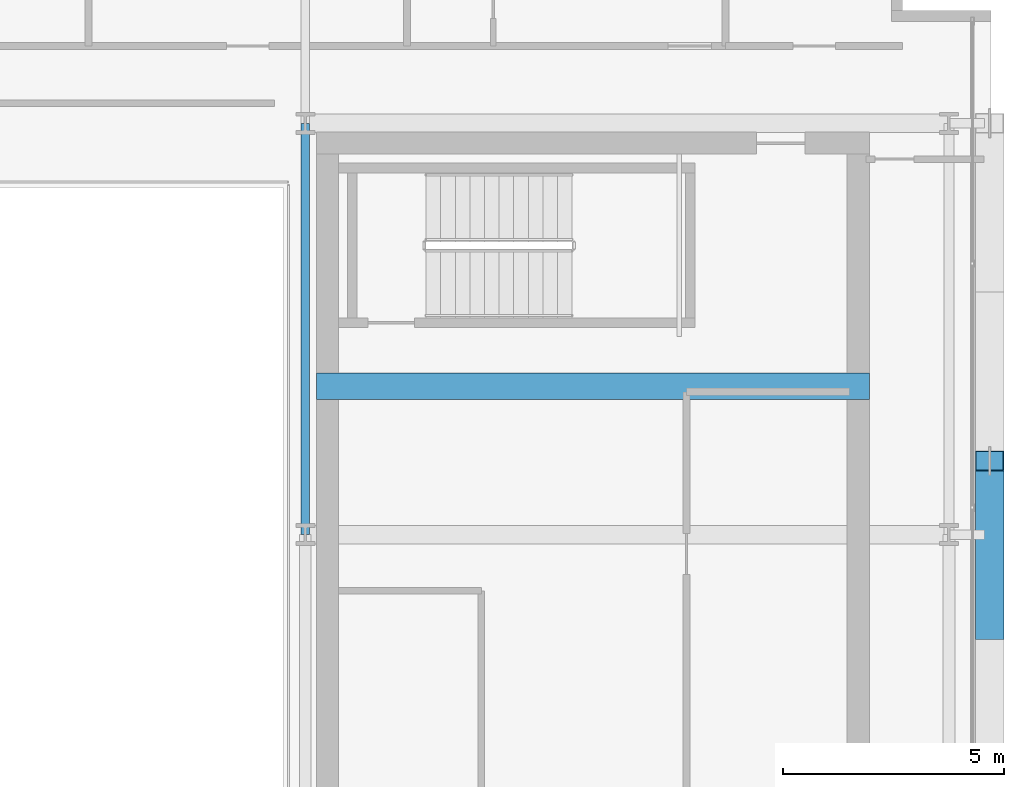
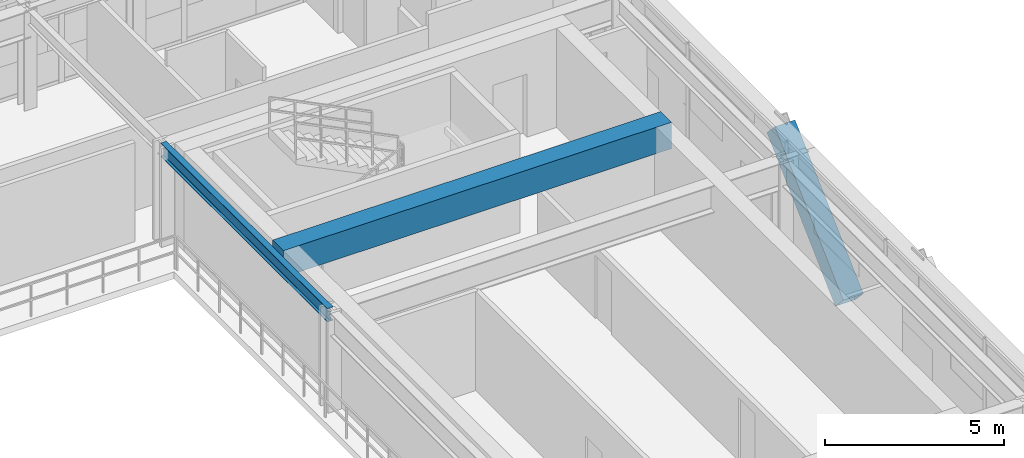
# One storey, part 14 of 34: 2 beams, 1 member.
"""IFC4 building model written with IfcOpenShell, lengths in metres."""

import ifcopenshell
import ifcopenshell.guid

model = None  # the IFC model being written
_history = None  # IfcOwnerHistory: only IFC2X3 demands one
_inside = {}  # id of a spatial element -> (the spatial element, [elements in it])
_under = {}  # id of a project, library or spatial element -> (it, [spatial elements below it])
_declared = {}  # id of a project -> (the project, [libraries it declares])
_typed = {}  # id of a type object -> (the type object, [elements of that type])
_made_of = {}  # id of a material, layer set ... -> (it, [elements and type objects made of it])


def new_model(schema):
    """Start an empty IFC model of exactly this schema.

    Asked for "IFC4X3", IfcOpenShell would pick the latest addendum, in which some entities
    have other attributes; the version numbers below select the first issue.
    IFC2X3 requires an IfcOwnerHistory on every rooted entity: one is made here for all.
    """
    global model, _history
    if schema == "IFC4X3":
        model = ifcopenshell.file(schema_version=(4, 3, 0, 0))
    else:
        model = ifcopenshell.file(schema=schema)
    _inside.clear()
    _under.clear()
    _declared.clear()
    _typed.clear()
    _made_of.clear()
    _history = None
    if model.schema == "IFC2X3":
        org = make("IfcOrganization", Name="unknown")
        user = make(
            "IfcPersonAndOrganization",
            ThePerson=make("IfcPerson", FamilyName="unknown"),
            TheOrganization=org,
        )
        app = make(
            "IfcApplication",
            ApplicationDeveloper=org,
            Version="unknown",
            ApplicationFullName="unknown",
            ApplicationIdentifier="unknown",
        )
        _history = make(
            "IfcOwnerHistory",
            OwningUser=user,
            OwningApplication=app,
            ChangeAction="ADDED",
            CreationDate=0,
        )
    return model


def make(cls, **values):
    """One entity of the class cls with the attributes given. An attribute that is None is left unset."""
    return model.create_entity(
        cls, **{name: value for name, value in values.items() if value is not None}
    )


def rooted(cls, **values):
    """An entity with a GlobalId (a new one), such as an element, a storey or a relation."""
    return make(cls, GlobalId=ifcopenshell.guid.new(), OwnerHistory=_history, **values)


def si_unit(unit_type, name, prefix=None):
    """IfcSIUnit, for example si_unit("LENGTHUNIT", "METRE", prefix="MILLI")."""
    return make("IfcSIUnit", UnitType=unit_type, Prefix=prefix, Name=name)


def assignment(units):
    """IfcUnitAssignment: the units of a project."""
    return None if units is None else make("IfcUnitAssignment", Units=units)


def point(xyz):
    """IfcCartesianPoint."""
    return None if xyz is None else make("IfcCartesianPoint", Coordinates=xyz)


def direction(xyz):
    """IfcDirection."""
    return None if xyz is None else make("IfcDirection", DirectionRatios=xyz)


def frame(location, z_axis=None, x_axis=None):
    """IfcAxis2Placement3D, a coordinate frame: its origin and axes. An axis left out is left unset."""
    return make(
        "IfcAxis2Placement3D",
        Location=point(location),
        Axis=direction(z_axis),
        RefDirection=direction(x_axis),
    )


def frame_2d(location, x_axis=None):
    """IfcAxis2Placement2D, a coordinate frame in the plane: its origin and x axis."""
    return make(
        "IfcAxis2Placement2D", Location=point(location), RefDirection=direction(x_axis)
    )


def origin():
    """The frame at (0, 0, 0) with its axes left unset."""
    return frame((0.0, 0.0, 0.0))


def origin_2d():
    """The frame at (0, 0) in the plane with its x axis left unset."""
    return frame_2d((0.0, 0.0))


def place(relative_to, where):
    """IfcLocalPlacement: puts the frame where relative to a parent placement (None: the world)."""
    return make(
        "IfcLocalPlacement", PlacementRelTo=relative_to, RelativePlacement=where
    )


def context(
    kind, dimensions, precision=None, world=None, true_north=None, identifier=None
):
    """IfcGeometricRepresentationContext, for example the 3D "Model" context."""
    return make(
        "IfcGeometricRepresentationContext",
        ContextIdentifier=identifier,
        ContextType=kind,
        CoordinateSpaceDimension=dimensions,
        Precision=precision,
        WorldCoordinateSystem=world,
        TrueNorth=true_north,
    )


def subcontext(parent, identifier, kind, view, scale=None):
    """IfcGeometricRepresentationSubContext, for example "Body" below "Model"."""
    return make(
        "IfcGeometricRepresentationSubContext",
        ContextIdentifier=identifier,
        ContextType=kind,
        ParentContext=parent,
        TargetScale=scale,
        TargetView=view,
    )


def project(units=None, contexts=None):
    """IfcProject with its units and contexts."""
    return rooted(
        "IfcProject",
        Name="project",
        RepresentationContexts=contexts,
        UnitsInContext=assignment(units),
    )


def spatial(cls, under=None, at=None, **own):
    """A site, building, storey or space (cls), placed at a placement, below another one or the project."""
    s = rooted(cls, ObjectPlacement=at, **own)
    if under is not None:
        _under.setdefault(under.id(), (under, []))[1].append(s)
    return s


def profile(cls, at=None, kind="AREA", **sizes):
    """A parametric profile (cls). Its sizes go by their IFC names, for example OverallWidth=200.0."""
    return make(cls, ProfileType=kind, Position=at, **sizes)


def rectangle(**sizes):
    """IfcRectangleProfileDef."""
    return profile("IfcRectangleProfileDef", **sizes)


def hollow_rectangle(**sizes):
    """IfcRectangleHollowProfileDef."""
    return profile("IfcRectangleHollowProfileDef", **sizes)


def i_section(**sizes):
    """IfcIShapeProfileDef."""
    return profile("IfcIShapeProfileDef", **sizes)


def extrude(swept, where, along, depth):
    """IfcExtrudedAreaSolid: the profile swept, set in the frame where, extruded along a direction by depth."""
    return make(
        "IfcExtrudedAreaSolid",
        SweptArea=swept,
        Position=where,
        ExtrudedDirection=direction(along),
        Depth=depth,
    )


def shape(context_of_items, identifier, shape_type, items):
    """IfcShapeRepresentation: the items that make up one representation, for example the "Body"."""
    return make(
        "IfcShapeRepresentation",
        ContextOfItems=context_of_items,
        RepresentationIdentifier=identifier,
        RepresentationType=shape_type,
        Items=items,
    )


def source(mapping_origin, context_of_items, identifier, shape_type, items):
    """IfcRepresentationMap: a shape defined once, which mapped items show again and again."""
    return make(
        "IfcRepresentationMap",
        MappingOrigin=mapping_origin,
        MappedRepresentation=shape(context_of_items, identifier, shape_type, items),
    )


def transform(
    local_origin,
    x_axis=None,
    y_axis=None,
    z_axis=None,
    scale=None,
    scale2=None,
    scale3=None,
    uniform=True,
):
    """IfcCartesianTransformationOperator3D, or its non-uniform kind. x_axis, y_axis, z_axis: its Axis1, 2, 3."""
    if uniform:
        return make(
            "IfcCartesianTransformationOperator3D",
            Axis1=direction(x_axis),
            Axis2=direction(y_axis),
            LocalOrigin=point(local_origin),
            Scale=scale,
            Axis3=direction(z_axis),
        )
    return make(
        "IfcCartesianTransformationOperator3DnonUniform",
        Axis1=direction(x_axis),
        Axis2=direction(y_axis),
        LocalOrigin=point(local_origin),
        Scale=scale,
        Axis3=direction(z_axis),
        Scale2=scale2,
        Scale3=scale3,
    )


def mapped(mapping_source, mapping_target):
    """IfcMappedItem: shows the shape of a source again, moved by a transform."""
    return make(
        "IfcMappedItem", MappingSource=mapping_source, MappingTarget=mapping_target
    )


def material(Name=None, Category=None):
    """IfcMaterial."""
    return make("IfcMaterial", Name=Name, Category=Category)


def material_profile(
    of_material, cross_section, Name=None, Category=None, Priority=None
):
    """IfcMaterialProfile: a cross section and its material."""
    return make(
        "IfcMaterialProfile",
        Name=Name,
        Material=of_material,
        Profile=cross_section,
        Priority=Priority,
        Category=Category,
    )


def profile_set(profiles, Name=None, composite=None):
    """IfcMaterialProfileSet."""
    return make(
        "IfcMaterialProfileSet",
        Name=Name,
        MaterialProfiles=profiles,
        CompositeProfile=composite,
    )


def made_of(thing, what):
    """Note that an element or type object is made of a material, layer set ...; save() writes the relation."""
    if what is not None:
        _made_of.setdefault(what.id(), (what, []))[1].append(thing)
    return thing


def type_object(cls, material=None, **own):
    """A type object (cls), such as IfcWallType, which elements share."""
    return made_of(rooted(cls, **own), material)


def element(
    cls,
    number,
    at=None,
    inside=None,
    cuts=None,
    type_object=None,
    material=None,
    context=None,
    identifier="Body",
    shape_type=None,
    held_by="IfcProductDefinitionShape",
    body=None,
    shapes=None,
    **own,
):
    """One element of the class cls, such as IfcWall. Its Tag is "e" and its number.

    at: its placement. inside: the storey or other place that contains it. cuts: it is an
    opening in that element (IfcRelVoidsElement). A single representation is given by context,
    identifier, shape_type and body (its items); several are given by shapes. held_by: the class
    of the entity that holds the representations. save() writes the other relations.
    """
    e = rooted(cls, Tag="e%d" % number, ObjectPlacement=at, **own)
    if body is not None:
        shapes = [shape(context, identifier, shape_type, body)]
    if shapes is not None:
        e.Representation = make(held_by, Representations=shapes)
    if inside is not None:
        _inside.setdefault(inside.id(), (inside, []))[1].append(e)
    if cuts is not None:
        rooted(
            "IfcRelVoidsElement", RelatingBuildingElement=cuts, RelatedOpeningElement=e
        )
    if type_object is not None:
        _typed.setdefault(type_object.id(), (type_object, []))[1].append(e)
    return made_of(e, material)


def aggregate(whole, parts):
    """IfcRelAggregates: a whole, such as a stair, and the parts it consists of."""
    return rooted("IfcRelAggregates", RelatingObject=whole, RelatedObjects=parts)


def save(model, path):
    """Write the relations noted so far, then the file.

    IfcRelAggregates (storeys below a building ...), IfcRelContainedInSpatialStructure (elements
    in a storey), IfcRelDefinesByType, IfcRelAssociatesMaterial and IfcRelDeclares: one each for
    every whole, place, type object, material and project.
    """
    for whole, parts in _under.values():
        aggregate(whole, parts)
    for where, things in _inside.values():
        rooted(
            "IfcRelContainedInSpatialStructure",
            RelatedElements=things,
            RelatingStructure=where,
        )
    for kind, things in _typed.values():
        rooted("IfcRelDefinesByType", RelatedObjects=things, RelatingType=kind)
    for what, things in _made_of.values():
        rooted("IfcRelAssociatesMaterial", RelatedObjects=things, RelatingMaterial=what)
    for by, libraries in _declared.values():
        rooted("IfcRelDeclares", RelatingContext=by, RelatedDefinitions=libraries)
    model.write(path)


model = new_model("IFC4")

# Units and contexts
model_context = context("Model", 3, precision=1e-05, world=origin(), true_north=direction((0.0, 1.0)))
body_context = subcontext(model_context, "Body", "Model", "MODEL_VIEW")
ifc_project = project(units=[si_unit("LENGTHUNIT", "METRE"), si_unit("AREAUNIT", "SQUARE_METRE"), si_unit("VOLUMEUNIT", "CUBIC_METRE"), si_unit("PLANEANGLEUNIT", "RADIAN"), si_unit("MASSUNIT", "GRAM", prefix="KILO")], contexts=[model_context])

# Site, building, storey
site_placement = place(None, origin())
site = spatial("IfcSite", under=ifc_project, at=site_placement, CompositionType="ELEMENT")
building_placement = place(site_placement, origin())
building = spatial("IfcBuilding", under=site, at=building_placement, Name="Ocotamira Hotel", CompositionType="ELEMENT")
storey_placement = place(building_placement, frame((0.0, 0.0, 163.199951171875)))
storey = spatial("IfcBuildingStorey", under=building, at=storey_placement, Name="L40", CompositionType="ELEMENT", Elevation=163.199951171875)

# Beams
ifc_material_1 = material(Name="Concrete C50/60", Category="concrete")
ifc_material_profile_1 = material_profile(ifc_material_1, rectangle(XDim=0.60009765625, YDim=0.89990234375, at=origin_2d()), Name="RC600X900")
ifc_profile_set_1 = profile_set([ifc_material_profile_1], Name="Concrete C50/60")
beam_type_1 = type_object("IfcBeamType", Name="BM-LINK-RC600", PredefinedType="LINTEL", material=ifc_profile_set_1)
shared_shape_1 = source(origin(), body_context, "Body", "SweptSolid", [
    extrude(rectangle(XDim=0.60009765625, YDim=0.89990234375, at=origin_2d()), origin(), (0.0, 0.0, 1.0), 12.5),
])
beam_1_placement = place(storey_placement, frame((40.75, 31.5, 2.920166015625), z_axis=(1.0, 0.0, 0.0), x_axis=(0.0, 1.0, 0.0)))
element("IfcBeam", 1, at=beam_1_placement, inside=storey, type_object=beam_type_1, Name="L40 East Core Coupling Beam", PredefinedType="LINTEL", context=body_context, shape_type="MappedRepresentation", body=[
    mapped(shared_shape_1, transform((0.0, 0.0, 0.0), scale=1.0)),
])
ifc_material_2 = material(Name="Steel ASTM A992 Grade 50", Category="steel")
ifc_material_profile_2 = material_profile(ifc_material_2, i_section(OverallWidth=0.18994140625, OverallDepth=0.45703125, WebThickness=0.009033203125, FlangeThickness=0.014404296875, FilletRadius=0.010009765625, at=origin_2d()), Name="W18X50")
ifc_profile_set_2 = profile_set([ifc_material_profile_2], Name="Steel ASTM A992 Grade 50")
beam_type_2 = type_object("IfcBeamType", Name="BM-SEC-W18X50", PredefinedType="JOIST", material=ifc_profile_set_2)
shared_shape_2 = source(origin(), body_context, "Body", "SweptSolid", [
    extrude(i_section(OverallWidth=0.18994140625, OverallDepth=0.45703125, WebThickness=0.009033203125, FlangeThickness=0.014404296875, FilletRadius=0.010009765625, at=origin_2d()), origin(), (0.0, 0.0, 1.0), 9.300048828125),
])
beam_2_placement = place(storey_placement, frame((40.5, 28.14990234375, 3.1416015625), z_axis=(0.0, 1.0, 0.0), x_axis=(-1.0, 0.0, 0.0)))
element("IfcBeam", 2, at=beam_2_placement, inside=storey, type_object=beam_type_2, Name="L40 Beam X40.5 Y28.15-37.45", PredefinedType="JOIST", context=body_context, shape_type="MappedRepresentation", body=[
    mapped(shared_shape_2, transform((0.0, 0.0, 0.0), scale=1.0)),
])

# Member
ifc_material_3 = material(Name="Pale-metal coated steel ASTM A913 Grade 65", Category="steel")
ifc_material_profile_3 = material_profile(ifc_material_3, hollow_rectangle(XDim=0.64990234375, YDim=0.64990234375, WallThickness=0.02197265625, at=origin_2d()), Name="BOX650X650X22")
ifc_profile_set_3 = profile_set([ifc_material_profile_3], Name="Pale-metal coated steel ASTM A913 Grade 65")
member_type = type_object("IfcMemberType", Name="MEM-EXO-BOX650", PredefinedType="BRACE", material=ifc_profile_set_3)
shared_shape_3 = source(origin(), body_context, "Body", "SweptSolid", [
    extrude(hollow_rectangle(XDim=0.64990234375, YDim=0.64990234375, WallThickness=0.02197265625, at=origin_2d()), origin(), (0.0, 0.0, 1.0), 5.24658203125),
])
member_placement = place(storey_placement, frame((55.969970703125, 26.0, -0.47998046875), z_axis=(0.0, 0.727442733726, 0.686168397078), x_axis=(-1.0, 0.0, 0.0)))
element("IfcMember", 3, at=member_placement, inside=storey, type_object=member_type, Name="L40 Exoskeleton Diagrid E1.2", PredefinedType="BRACE", context=body_context, shape_type="MappedRepresentation", body=[
    mapped(shared_shape_3, transform((0.0, 0.0, 0.0), scale=1.0)),
])

save(model, "model.ifc")
